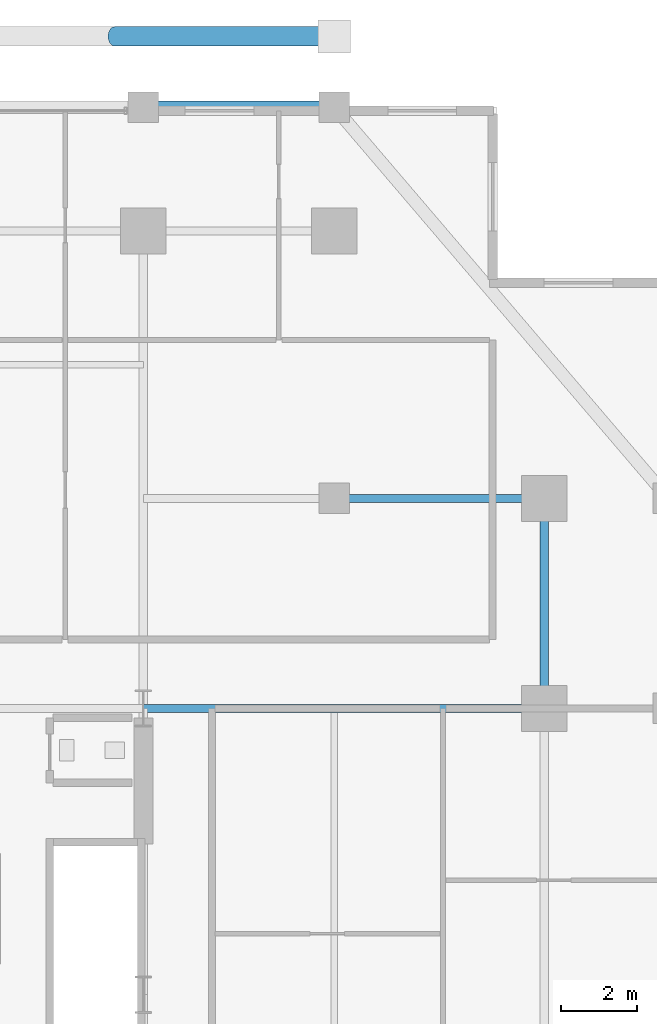
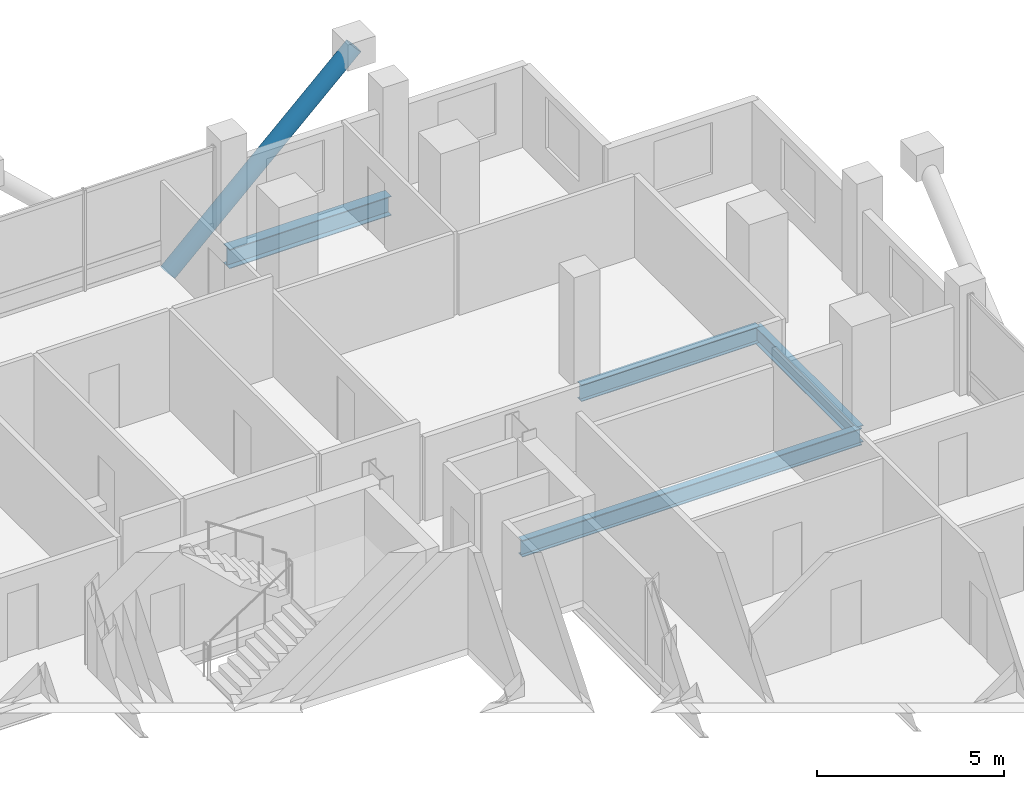
# One storey, part 14 of 23: 4 beams, 1 member.
"""IFC4 building model written with IfcOpenShell, lengths in metres."""

from ifc_helpers import new_model, si_unit, direction, frame, origin, origin_2d, place, context, subcontext, project, spatial, hollow_circle, i_section, extrude, material, material_profile, profile_set, type_object, element, save


model = new_model("IFC4")

# Units and contexts
model_context = context("Model", 3, precision=1e-05, world=origin(), true_north=direction((0.0, 1.0)))
body_context = subcontext(model_context, "Body", "Model", "MODEL_VIEW")
ifc_project = project(units=[si_unit("LENGTHUNIT", "METRE"), si_unit("AREAUNIT", "SQUARE_METRE"), si_unit("VOLUMEUNIT", "CUBIC_METRE"), si_unit("PLANEANGLEUNIT", "RADIAN"), si_unit("MASSUNIT", "GRAM", prefix="KILO")], contexts=[model_context])

# Site, building, storey
site_placement = place(None, origin())
site = spatial("IfcSite", under=ifc_project, at=site_placement, CompositionType="ELEMENT")
building_placement = place(site_placement, origin())
building = spatial("IfcBuilding", under=site, at=building_placement, Name="Barlavira Tower and Art Museum", CompositionType="ELEMENT")
storey_placement = place(building_placement, frame((0.0, 0.0, 117.0)))
storey = spatial("IfcBuildingStorey", under=building, at=storey_placement, Name="L29", CompositionType="ELEMENT", Elevation=117.0)

# Member
ifc_material = material(Name="Steel S355", Category="steel")
ifc_material_profile_1 = material_profile(ifc_material, hollow_circle(Radius=0.25390625, WallThickness=0.022216796875, at=origin_2d()), Name="CHS 508.0x22.2")
ifc_profile_set_1 = profile_set([ifc_material_profile_1], Name="Steel S355")
member_type = type_object("IfcMemberType", Name="Pale-Metal Exoskeleton Diagrid Tube CHS 508x22 Steel S355", PredefinedType="BRACE", material=ifc_profile_set_1)
member_placement = place(storey_placement, frame((5.75, 25.10009765625, -1.919921875), z_axis=(0.728950095515, 0.0, 0.684566839869), x_axis=(0.0, 1.0, 0.0)))
element("IfcMember", 1, at=member_placement, inside=storey, type_object=member_type, Name="L29 Exoskeleton Diagrid Tube N", PredefinedType="BRACE", context=body_context, shape_type="SweptSolid", body=[
    extrude(hollow_circle(Radius=0.25390625, WallThickness=0.022216796875, at=origin_2d()), origin(), (0.0, 0.0, 1.0), 7.887939453125),
])

# Beams
ifc_material_profile_2 = material_profile(ifc_material, i_section(OverallWidth=0.327880859375, OverallDepth=0.62890625, WebThickness=0.013916015625, FlangeThickness=0.021484375, at=origin_2d()), Name="W610x174.0")
ifc_profile_set_2 = profile_set([ifc_material_profile_2], Name="Steel S355")
beam_type_1 = type_object("IfcBeamType", Name="Perimeter Spandrel Edge Beam W610x174 Steel S355", PredefinedType="SPANDREL", material=ifc_profile_set_2)
beam_1_placement = place(storey_placement, frame((6.5, 23.25, -0.534423828125), z_axis=(1.0, 0.0, 0.0), x_axis=(0.0, 1.0, 0.0)))
element("IfcBeam", 2, at=beam_1_placement, inside=storey, type_object=beam_type_1, Name="L29 Spandrel 9", PredefinedType="SPANDREL", context=body_context, shape_type="SweptSolid", body=[
    extrude(i_section(OverallWidth=0.327880859375, OverallDepth=0.62890625, WebThickness=0.013916015625, FlangeThickness=0.021484375, at=origin_2d()), origin(), (0.0, 0.0, 1.0), 5.0),
])
ifc_material_profile_3 = material_profile(ifc_material, i_section(OverallWidth=0.214111328125, OverallDepth=0.549072265625, WebThickness=0.0146484375, FlangeThickness=0.023681640625, at=origin_2d()), Name="W530x138.0")
ifc_profile_set_3 = profile_set([ifc_material_profile_3], Name="Steel S355")
beam_type_2 = type_object("IfcBeamType", Name="Zone 1 Primary Floor Girder W530x138 Steel S355", PredefinedType="BEAM", material=ifc_profile_set_3)
beam_2_placement = place(storey_placement, frame((17.0, 7.5, -0.494384765625), z_axis=(0.0, 1.0, 0.0), x_axis=(-1.0, 0.0, 0.0)))
element("IfcBeam", 3, at=beam_2_placement, inside=storey, type_object=beam_type_2, Name="L29 Girder M-E3", PredefinedType="BEAM", context=body_context, shape_type="SweptSolid", body=[
    extrude(i_section(OverallWidth=0.214111328125, OverallDepth=0.549072265625, WebThickness=0.0146484375, FlangeThickness=0.023681640625, at=origin_2d()), origin(), (0.0, 0.0, 1.0), 5.5),
])
beam_3_placement = place(storey_placement, frame((6.5, 7.5, -0.494384765625), z_axis=(1.0, 0.0, 0.0), x_axis=(0.0, 1.0, 0.0)))
element("IfcBeam", 4, at=beam_3_placement, inside=storey, type_object=beam_type_2, Name="L29 Girder R-E2", PredefinedType="BEAM", context=body_context, shape_type="SweptSolid", body=[
    extrude(i_section(OverallWidth=0.214111328125, OverallDepth=0.549072265625, WebThickness=0.0146484375, FlangeThickness=0.023681640625, at=origin_2d()), origin(), (0.0, 0.0, 1.0), 10.5),
])
beam_4_placement = place(storey_placement, frame((11.5, 13.0, -0.494384765625), z_axis=(1.0, 0.0, 0.0), x_axis=(0.0, 1.0, 0.0)))
element("IfcBeam", 5, at=beam_4_placement, inside=storey, type_object=beam_type_2, Name="L29 Girder I-N4", PredefinedType="BEAM", context=body_context, shape_type="SweptSolid", body=[
    extrude(i_section(OverallWidth=0.214111328125, OverallDepth=0.549072265625, WebThickness=0.0146484375, FlangeThickness=0.023681640625, at=origin_2d()), origin(), (0.0, 0.0, 1.0), 5.5),
])

save(model, "model.ifc")
